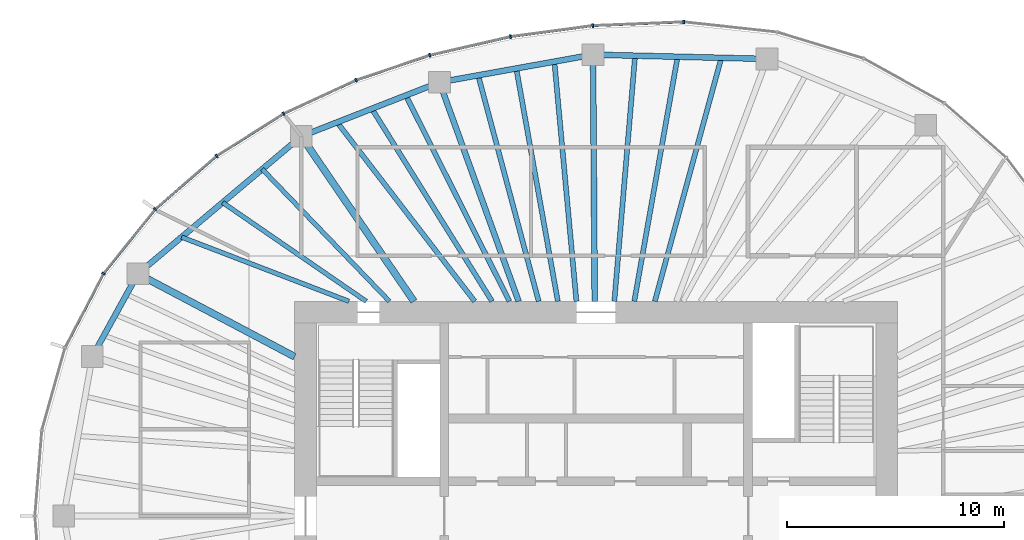
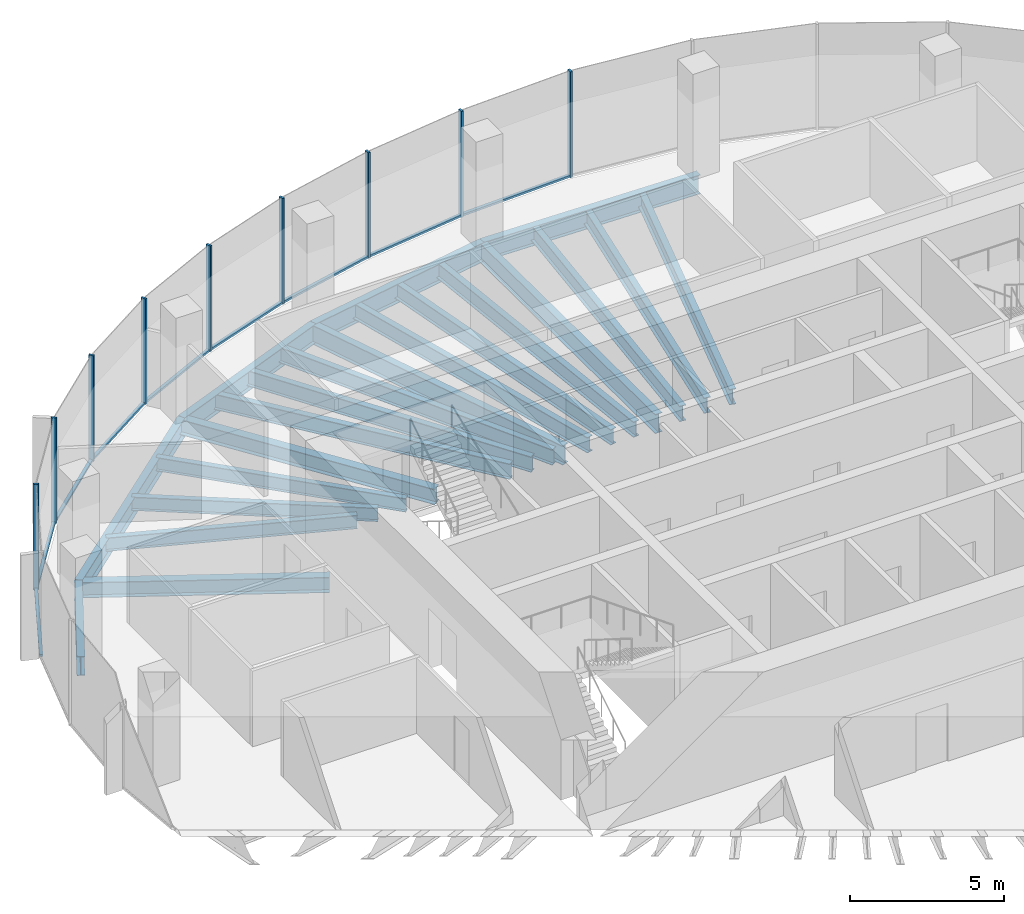
# One storey, part 5 of 12: 21 beams, 18 members, 5 elements without a shape of their own.
"""IFC4 building model written with IfcOpenShell, lengths in metres."""

from ifc_helpers import new_model, si_unit, direction, frame, origin, origin_2d, place, context, subcontext, project, spatial, rectangle, i_section, extrude, material, material_profile, profile_set, type_object, element, aggregate, save


model = new_model("IFC4")

# Units and contexts
model_context = context("Model", 3, precision=1e-05, world=origin(), true_north=direction((0.0, 1.0)))
body_context = subcontext(model_context, "Body", "Model", "MODEL_VIEW")
ifc_project = project(units=[si_unit("LENGTHUNIT", "METRE"), si_unit("AREAUNIT", "SQUARE_METRE"), si_unit("VOLUMEUNIT", "CUBIC_METRE"), si_unit("PLANEANGLEUNIT", "RADIAN"), si_unit("MASSUNIT", "GRAM", prefix="KILO")], contexts=[model_context])

# Site, building, storey
site_placement = place(None, origin())
site = spatial("IfcSite", under=ifc_project, at=site_placement, CompositionType="ELEMENT")
building_placement = place(site_placement, origin())
building = spatial("IfcBuilding", under=site, at=building_placement, Name="Ghaith Harvest Tower", CompositionType="ELEMENT")
storey_placement = place(building_placement, frame((0.0, 0.0, 304.800048828125)))
storey = spatial("IfcBuildingStorey", under=building, at=storey_placement, Name="L68", CompositionType="ELEMENT", Elevation=304.800048828125)

# Curtain wall, member
ifc_material_1 = material(Name="Black anodised aluminium and fritted glass", Category="aluminium")
curtain_wall_type = type_object("IfcCurtainWallType", Name="CW-T CURTAIN WALL", PredefinedType="NOTDEFINED", material=ifc_material_1)
curtain_wall_1_placement = place(storey_placement, origin())
curtain_wall_1 = element("IfcCurtainWall", 1, at=curtain_wall_1_placement, inside=storey, type_object=curtain_wall_type, Name="Curtain wall CW-T bay 05 L68", PredefinedType="NOTDEFINED")
ifc_material_2 = material(Name="Aluminium, black anodised", Category="aluminium")
ifc_material_profile_1 = material_profile(ifc_material_2, rectangle(XDim=0.080078125, YDim=0.179931640625, at=origin_2d()), Name="CW-T MULLION 80x180")
ifc_profile_set_1 = profile_set([ifc_material_profile_1], Name="Aluminium, black anodised")
member_type_1 = type_object("IfcMemberType", Name="CW-T MULLION 80x180", PredefinedType="MULLION", material=ifc_profile_set_1)
member_1_placement = place(storey_placement, frame((4.037841796875, 22.776611328125, 0.0), z_axis=(0.0, 0.0, 1.0), x_axis=(-0.999388631236, 0.034962319079, 0.0)))
member_1 = element("IfcMember", 2, at=member_1_placement, type_object=member_type_1, Name="CW-T mullion 2 bay 05 L68", PredefinedType="MULLION", context=body_context, shape_type="SweptSolid", body=[
    extrude(rectangle(XDim=0.080078125, YDim=0.179931640625, at=origin_2d()), origin(), (0.0, 0.0, 1.0), 4.199951171875),
])

# Curtain wall, members
curtain_wall_2_placement = place(storey_placement, origin())
curtain_wall_2 = element("IfcCurtainWall", 3, at=curtain_wall_2_placement, inside=storey, type_object=curtain_wall_type, Name="Curtain wall CW-T bay 06 L68", PredefinedType="NOTDEFINED")
member_2_placement = place(storey_placement, frame((-0.15478515625, 22.60595703125, 0.0), z_axis=(0.0, 0.0, 1.0), x_axis=(-0.996414855482, -0.084601629853, 0.0)))
member_2 = element("IfcMember", 4, at=member_2_placement, type_object=member_type_1, Name="CW-T mullion 1 bay 06 L68", PredefinedType="MULLION", context=body_context, shape_type="SweptSolid", body=[
    extrude(rectangle(XDim=0.080078125, YDim=0.179931640625, at=origin_2d()), origin(), (0.0, 0.0, 1.0), 4.199951171875),
])
member_3_placement = place(storey_placement, frame((-3.946533203125, 22.0986328125, 0.0), z_axis=(0.0, 0.0, 1.0), x_axis=(-0.983843447681, -0.179030920389, 0.0)))
member_3 = element("IfcMember", 5, at=member_3_placement, type_object=member_type_1, Name="CW-T mullion 2 bay 06 L68", PredefinedType="MULLION", context=body_context, shape_type="SweptSolid", body=[
    extrude(rectangle(XDim=0.080078125, YDim=0.179931640625, at=origin_2d()), origin(), (0.0, 0.0, 1.0), 4.199951171875),
])

curtain_wall_3_placement = place(storey_placement, origin())
curtain_wall_3 = element("IfcCurtainWall", 6, at=curtain_wall_3_placement, inside=storey, type_object=curtain_wall_type, Name="Curtain wall CW-T bay 07 L68", PredefinedType="NOTDEFINED")
member_4_placement = place(storey_placement, frame((-7.6708984375, 21.23828125, 0.0), z_axis=(0.0, 0.0, 1.0), x_axis=(-0.962552491436, -0.27109537294, 0.0)))
member_4 = element("IfcMember", 7, at=member_4_placement, type_object=member_type_1, Name="CW-T mullion 1 bay 07 L68", PredefinedType="MULLION", context=body_context, shape_type="SweptSolid", body=[
    extrude(rectangle(XDim=0.080078125, YDim=0.179931640625, at=origin_2d()), origin(), (0.0, 0.0, 1.0), 4.199951171875),
])
member_5_placement = place(storey_placement, frame((-11.0673828125, 20.093017578125, 0.0), z_axis=(0.0, 0.0, 1.0), x_axis=(-0.928624420706, -0.371021138573, 0.0)))
member_5 = element("IfcMember", 8, at=member_5_placement, type_object=member_type_1, Name="CW-T mullion 2 bay 07 L68", PredefinedType="MULLION", context=body_context, shape_type="SweptSolid", body=[
    extrude(rectangle(XDim=0.080078125, YDim=0.179931640625, at=origin_2d()), origin(), (0.0, 0.0, 1.0), 4.199951171875),
])

curtain_wall_4_placement = place(storey_placement, origin())
curtain_wall_4 = element("IfcCurtainWall", 9, at=curtain_wall_4_placement, inside=storey, type_object=curtain_wall_type, Name="Curtain wall CW-T bay 08 L68", PredefinedType="NOTDEFINED")
member_6_placement = place(storey_placement, frame((-14.40478515625, 18.5478515625, 0.0), z_axis=(0.0, 0.0, 1.0), x_axis=(-0.87867173244, -0.477426420101, 0.0)))
member_6 = element("IfcMember", 10, at=member_6_placement, type_object=member_type_1, Name="CW-T mullion 1 bay 08 L68", PredefinedType="MULLION", context=body_context, shape_type="SweptSolid", body=[
    extrude(rectangle(XDim=0.080078125, YDim=0.179931640625, at=origin_2d()), origin(), (0.0, 0.0, 1.0), 4.199951171875),
])
member_7_placement = place(storey_placement, frame((-17.49462890625, 16.600830078125, 0.0), z_axis=(0.0, 0.0, 1.0), x_axis=(-0.802189888678, -0.597068993084, 0.0)))
member_7 = element("IfcMember", 11, at=member_7_placement, type_object=member_type_1, Name="CW-T mullion 2 bay 08 L68", PredefinedType="MULLION", context=body_context, shape_type="SweptSolid", body=[
    extrude(rectangle(XDim=0.080078125, YDim=0.179931640625, at=origin_2d()), origin(), (0.0, 0.0, 1.0), 4.199951171875),
])

curtain_wall_5_placement = place(storey_placement, origin())
curtain_wall_5 = element("IfcCurtainWall", 12, at=curtain_wall_5_placement, inside=storey, type_object=curtain_wall_type, Name="Curtain wall CW-T bay 09 L68", PredefinedType="NOTDEFINED")
member_8_placement = place(storey_placement, frame((-20.324462890625, 14.141845703125, 0.0), z_axis=(0.0, 0.0, 1.0), x_axis=(-0.692826491995, -0.72110432809, 0.0)))
member_8 = element("IfcMember", 13, at=member_8_placement, type_object=member_type_1, Name="CW-T mullion 1 bay 09 L68", PredefinedType="MULLION", context=body_context, shape_type="SweptSolid", body=[
    extrude(rectangle(XDim=0.080078125, YDim=0.179931640625, at=origin_2d()), origin(), (0.0, 0.0, 1.0), 4.199951171875),
])
member_9_placement = place(storey_placement, frame((-22.706298828125, 11.176513671875, 0.0), z_axis=(0.0, 0.0, 1.0), x_axis=(-0.545865412621, -0.837872872997, 0.0)))
member_9 = element("IfcMember", 14, at=member_9_placement, type_object=member_type_1, Name="CW-T mullion 2 bay 09 L68", PredefinedType="MULLION", context=body_context, shape_type="SweptSolid", body=[
    extrude(rectangle(XDim=0.080078125, YDim=0.179931640625, at=origin_2d()), origin(), (0.0, 0.0, 1.0), 4.199951171875),
])

# Member
ifc_material_3 = material(Name="Aluminium, black anodised", Category="aluminium")
ifc_material_profile_2 = material_profile(ifc_material_3, rectangle(XDim=0.1201171875, YDim=0.080078125, at=origin_2d()), Name="CW-T TRANSOM 120x80")
ifc_profile_set_2 = profile_set([ifc_material_profile_2], Name="Aluminium, black anodised")
member_type_2 = type_object("IfcMemberType", Name="CW-T TRANSOM 120x80", PredefinedType="USERDEFINED", material=ifc_profile_set_2)
member_10_placement = place(storey_placement, frame((3.997802734375, 22.77490234375, 0.0400390625), z_axis=(-0.999174207562, -0.040631304968, 0.0), x_axis=(0.040631304968, -0.999174207562, 0.0)))
member_10 = element("IfcMember", 15, at=member_10_placement, type_object=member_type_2, Name="CW-T transom 2 bay 05 L68", ObjectType="TRANSOM", PredefinedType="USERDEFINED", context=body_context, shape_type="SweptSolid", body=[
    extrude(rectangle(XDim=0.1201171875, YDim=0.080078125, at=origin_2d()), origin(), (0.0, 0.0, 1.0), 4.115966796875),
])

aggregate(curtain_wall_1, [member_1, member_10])

member_11_placement = place(storey_placement, frame((-0.1943359375, 22.6005859375, 0.0400390625), z_axis=(-0.99117202259, -0.132582131655, 0.0), x_axis=(0.132582131655, -0.99117202259, 0.0)))
member_11 = element("IfcMember", 16, at=member_11_placement, type_object=member_type_2, Name="CW-T transom 1 bay 06 L68", ObjectType="TRANSOM", PredefinedType="USERDEFINED", context=body_context, shape_type="SweptSolid", body=[
    extrude(rectangle(XDim=0.1201171875, YDim=0.080078125, at=origin_2d()), origin(), (0.0, 0.0, 1.0), 3.745361328125),
])

member_12_placement = place(storey_placement, frame((-3.9853515625, 22.089599609375, 0.0400390625), z_axis=(-0.974344997799, -0.225059603803, 0.0), x_axis=(0.225059603803, -0.974344997799, 0.0)))
member_12 = element("IfcMember", 17, at=member_12_placement, type_object=member_type_2, Name="CW-T transom 2 bay 06 L68", ObjectType="TRANSOM", PredefinedType="USERDEFINED", context=body_context, shape_type="SweptSolid", body=[
    extrude(rectangle(XDim=0.1201171875, YDim=0.080078125, at=origin_2d()), origin(), (0.0, 0.0, 1.0), 3.742431640625),
])

aggregate(curtain_wall_2, [member_2, member_11, member_3, member_12])

member_13_placement = place(storey_placement, frame((-7.708740234375, 21.2255859375, 0.0400390625), z_axis=(-0.9475698206, -0.319548799228, 0.0), x_axis=(0.319548799228, -0.9475698206, 0.0)))
member_13 = element("IfcMember", 18, at=member_13_placement, type_object=member_type_2, Name="CW-T transom 1 bay 07 L68", ObjectType="TRANSOM", PredefinedType="USERDEFINED", context=body_context, shape_type="SweptSolid", body=[
    extrude(rectangle(XDim=0.1201171875, YDim=0.080078125, at=origin_2d()), origin(), (0.0, 0.0, 1.0), 3.504638671875),
])

member_14_placement = place(storey_placement, frame((-11.103759765625, 20.076171875, 0.0400390625), z_axis=(-0.907472177056, -0.420112184862, 0.0), x_axis=(0.420112184862, -0.907472177056, 0.0)))
member_14 = element("IfcMember", 19, at=member_14_placement, type_object=member_type_2, Name="CW-T transom 2 bay 07 L68", ObjectType="TRANSOM", PredefinedType="USERDEFINED", context=body_context, shape_type="SweptSolid", body=[
    extrude(rectangle(XDim=0.1201171875, YDim=0.080078125, at=origin_2d()), origin(), (0.0, 0.0, 1.0), 3.597900390625),
])

aggregate(curtain_wall_3, [member_4, member_13, member_5, member_14])

member_15_placement = place(storey_placement, frame((-14.438720703125, 18.5263671875, 0.0400390625), z_axis=(-0.846053602505, -0.533097835006, 0.0), x_axis=(0.533097835006, -0.846053602505, 0.0)))
member_15 = element("IfcMember", 20, at=member_15_placement, type_object=member_type_2, Name="CW-T transom 1 bay 08 L68", ObjectType="TRANSOM", PredefinedType="USERDEFINED", context=body_context, shape_type="SweptSolid", body=[
    extrude(rectangle(XDim=0.1201171875, YDim=0.080078125, at=origin_2d()), origin(), (0.0, 0.0, 1.0), 3.572021484375),
])

member_16_placement = place(storey_placement, frame((-17.52490234375, 16.574462890625, 0.0400390625), z_axis=(-0.754851889287, -0.65589528527, 0.0), x_axis=(0.65589528527, -0.754851889287, 0.0)))
member_16 = element("IfcMember", 21, at=member_16_placement, type_object=member_type_2, Name="CW-T transom 2 bay 08 L68", ObjectType="TRANSOM", PredefinedType="USERDEFINED", context=body_context, shape_type="SweptSolid", body=[
    extrude(rectangle(XDim=0.1201171875, YDim=0.080078125, at=origin_2d()), origin(), (0.0, 0.0, 1.0), 3.668701171875),
])

aggregate(curtain_wall_4, [member_6, member_15, member_7, member_16])

member_17_placement = place(storey_placement, frame((-20.349365234375, 14.110595703125, 0.0400390625), z_axis=(-0.626253073761, -0.779619835307, 0.0), x_axis=(0.779619835307, -0.626253073761, 0.0)))
member_17 = element("IfcMember", 22, at=member_17_placement, type_object=member_type_2, Name="CW-T transom 1 bay 09 L68", ObjectType="TRANSOM", PredefinedType="USERDEFINED", context=body_context, shape_type="SweptSolid", body=[
    extrude(rectangle(XDim=0.1201171875, YDim=0.080078125, at=origin_2d()), origin(), (0.0, 0.0, 1.0), 3.723388671875),
])

member_18_placement = place(storey_placement, frame((-22.724609375, 11.14111328125, 0.0400390625), z_axis=(-0.461242681347, -0.887274021317, 0.0), x_axis=(0.887274021317, -0.461242681347, 0.0)))
member_18 = element("IfcMember", 23, at=member_18_placement, type_object=member_type_2, Name="CW-T transom 2 bay 09 L68", ObjectType="TRANSOM", PredefinedType="USERDEFINED", context=body_context, shape_type="SweptSolid", body=[
    extrude(rectangle(XDim=0.1201171875, YDim=0.080078125, at=origin_2d()), origin(), (0.0, 0.0, 1.0), 3.77197265625),
])

aggregate(curtain_wall_5, [member_8, member_17, member_9, member_18])

# Beams
ifc_material_4 = material(Name="Steel ASTM A992 Grade 50", Category="steel")
ifc_material_profile_3 = material_profile(ifc_material_4, i_section(OverallWidth=0.26611328125, OverallDepth=0.758056640625, WebThickness=0.013916015625, FlangeThickness=0.019287109375, at=origin_2d()), Name="W760X161")
ifc_profile_set_3 = profile_set([ifc_material_profile_3], Name="Steel ASTM A992 Grade 50")
beam_type_1 = type_object("IfcBeamType", Name="E760-161 W760X161", PredefinedType="SPANDREL", material=ifc_profile_set_3)
beam_1_placement = place(storey_placement, frame((7.8779296875, 21.072021484375, -0.549072265625), z_axis=(-0.999692679676, 0.024790042413, 0.0), x_axis=(-0.024790042413, -0.999692679676, 0.0)))
element("IfcBeam", 24, at=beam_1_placement, inside=storey, type_object=beam_type_1, Name="Edge beam E05 L68", PredefinedType="SPANDREL", context=body_context, shape_type="SweptSolid", body=[
    extrude(i_section(OverallWidth=0.26611328125, OverallDepth=0.758056640625, WebThickness=0.013916015625, FlangeThickness=0.019287109375, at=origin_2d()), origin(), (0.0, 0.0, 1.0), 8.0263671875),
])
beam_2_placement = place(storey_placement, frame((-0.14599609375, 21.27099609375, -0.549072265625), z_axis=(-0.984177047684, -0.177187863051, 0.0), x_axis=(0.177187863051, -0.984177047684, 0.0)))
element("IfcBeam", 25, at=beam_2_placement, inside=storey, type_object=beam_type_1, Name="Edge beam E06 L68", PredefinedType="SPANDREL", context=body_context, shape_type="SweptSolid", body=[
    extrude(i_section(OverallWidth=0.26611328125, OverallDepth=0.758056640625, WebThickness=0.013916015625, FlangeThickness=0.019287109375, at=origin_2d()), origin(), (0.0, 0.0, 1.0), 7.189697265625),
])
beam_3_placement = place(storey_placement, frame((-7.221923828125, 19.9970703125, -0.549072265625), z_axis=(-0.931322768207, -0.364194867371, 0.0), x_axis=(0.364194867371, -0.931322768207, 0.0)))
element("IfcBeam", 26, at=beam_3_placement, inside=storey, type_object=beam_type_1, Name="Edge beam E07 L68", PredefinedType="SPANDREL", context=body_context, shape_type="SweptSolid", body=[
    extrude(i_section(OverallWidth=0.26611328125, OverallDepth=0.758056640625, WebThickness=0.013916015625, FlangeThickness=0.019287109375, at=origin_2d()), origin(), (0.0, 0.0, 1.0), 6.843017578125),
])
beam_4_placement = place(storey_placement, frame((-13.594970703125, 17.5048828125, -0.549072265625), z_axis=(-0.765021818761, -0.64400436087, 0.0), x_axis=(0.64400436087, -0.765021818761, 0.0)))
element("IfcBeam", 27, at=beam_4_placement, inside=storey, type_object=beam_type_1, Name="Edge beam E08 L68", PredefinedType="SPANDREL", context=body_context, shape_type="SweptSolid", body=[
    extrude(i_section(OverallWidth=0.26611328125, OverallDepth=0.758056640625, WebThickness=0.013916015625, FlangeThickness=0.019287109375, at=origin_2d()), origin(), (0.0, 0.0, 1.0), 9.8427734375),
])
beam_5_placement = place(storey_placement, frame((-21.125, 11.166015625, -0.549072265625), z_axis=(-0.482955575345, -0.875644855089, 0.0), x_axis=(0.875644855089, -0.482955575345, 0.0)))
element("IfcBeam", 28, at=beam_5_placement, inside=storey, type_object=beam_type_1, Name="Edge beam E09 L68", PredefinedType="SPANDREL", context=body_context, shape_type="SweptSolid", body=[
    extrude(i_section(OverallWidth=0.26611328125, OverallDepth=0.758056640625, WebThickness=0.013916015625, FlangeThickness=0.019287109375, at=origin_2d()), origin(), (0.0, 0.0, 1.0), 4.346435546875),
])
ifc_material_5 = material(Name="Steel ASTM A992 Grade 50", Category="steel")
ifc_material_profile_4 = material_profile(ifc_material_5, i_section(OverallWidth=0.323974609375, OverallDepth=0.611083984375, WebThickness=0.0126953125, FlangeThickness=0.01904296875, at=origin_2d()), Name="W610X155")
ifc_profile_set_4 = profile_set([ifc_material_profile_4], Name="Steel ASTM A992 Grade 50")
beam_type_2 = type_object("IfcBeamType", Name="G610-155 W610X155", PredefinedType="BEAM", material=ifc_profile_set_4)
beam_6_placement = place(storey_placement, frame((-8.39990234375, 9.89990234375, -0.4755859375), z_axis=(-0.564067018201, 0.825729010619, 0.0), x_axis=(-0.825729010619, -0.564067018201, 0.0)))
element("IfcBeam", 29, at=beam_6_placement, inside=storey, type_object=beam_type_2, Name="Radial girder G08 L68", PredefinedType="BEAM", context=body_context, shape_type="SweptSolid", body=[
    extrude(i_section(OverallWidth=0.323974609375, OverallDepth=0.611083984375, WebThickness=0.0126953125, FlangeThickness=0.01904296875, at=origin_2d()), origin(), (0.0, 0.0, 1.0), 9.2099609375),
])
beam_7_placement = place(storey_placement, frame((-13.89990234375, 7.34716796875, -0.4755859375), z_axis=(-0.88410164037, 0.467294649546, 0.0), x_axis=(-0.467294649546, -0.88410164037, 0.0)))
element("IfcBeam", 30, at=beam_7_placement, inside=storey, type_object=beam_type_2, Name="Radial girder G09 L68", PredefinedType="BEAM", context=body_context, shape_type="SweptSolid", body=[
    extrude(i_section(OverallWidth=0.323974609375, OverallDepth=0.611083984375, WebThickness=0.0126953125, FlangeThickness=0.01904296875, at=origin_2d()), origin(), (0.0, 0.0, 1.0), 8.17236328125),
])
ifc_material_6 = material(Name="Steel ASTM A992 Grade 50", Category="steel")
ifc_material_profile_5 = material_profile(ifc_material_6, i_section(OverallWidth=0.26611328125, OverallDepth=0.758056640625, WebThickness=0.013916015625, FlangeThickness=0.019287109375, at=origin_2d()), Name="W760X161")
ifc_profile_set_5 = profile_set([ifc_material_profile_5], Name="Steel ASTM A992 Grade 50")
beam_type_3 = type_object("IfcBeamType", Name="G760-161 W760X161", PredefinedType="BEAM", material=ifc_profile_set_5)
beam_8_placement = place(storey_placement, frame((-0.06787109375, 9.89990234375, -0.549072265625), z_axis=(-0.00687032909, 0.999976399011, 0.0), x_axis=(-0.999976399011, -0.00687032909, 0.0)))
element("IfcBeam", 31, at=beam_8_placement, inside=storey, type_object=beam_type_3, Name="Radial girder G06 L68", PredefinedType="BEAM", context=body_context, shape_type="SweptSolid", body=[
    extrude(i_section(OverallWidth=0.26611328125, OverallDepth=0.758056640625, WebThickness=0.013916015625, FlangeThickness=0.019287109375, at=origin_2d()), origin(), (0.0, 0.0, 1.0), 11.371337890625),
])
beam_9_placement = place(storey_placement, frame((-3.57568359375, 9.89990234375, -0.549072265625), z_axis=(-0.339647816823, 0.940552688863, 0.0), x_axis=(-0.940552688863, -0.339647816823, 0.0)))
element("IfcBeam", 32, at=beam_9_placement, inside=storey, type_object=beam_type_3, Name="Radial girder G07 L68", PredefinedType="BEAM", context=body_context, shape_type="SweptSolid", body=[
    extrude(i_section(OverallWidth=0.26611328125, OverallDepth=0.758056640625, WebThickness=0.013916015625, FlangeThickness=0.019287109375, at=origin_2d()), origin(), (0.0, 0.0, 1.0), 10.7353515625),
])
ifc_material_7 = material(Name="Steel ASTM A992 Grade 50", Category="steel")
ifc_material_profile_6 = material_profile(ifc_material_7, i_section(OverallWidth=0.2109375, OverallDepth=0.5390625, WebThickness=0.01171875, FlangeThickness=0.018798828125, at=origin_2d()), Name="W530X109")
ifc_profile_set_6 = profile_set([ifc_material_profile_6], Name="Steel ASTM A992 Grade 50")
beam_type_4 = type_object("IfcBeamType", Name="J530-109 W530X109", PredefinedType="JOIST", material=ifc_profile_set_6)
beam_10_placement = place(storey_placement, frame((-9.530517578125, 9.89990234375, -0.439453125), z_axis=(-0.693536238632, 0.720421741554, 0.0), x_axis=(-0.720421741554, -0.693536238632, 0.0)))
element("IfcBeam", 33, at=beam_10_placement, inside=storey, type_object=beam_type_4, Name="Joist J08.1 L68", PredefinedType="JOIST", context=body_context, shape_type="SweptSolid", body=[
    extrude(i_section(OverallWidth=0.2109375, OverallDepth=0.5390625, WebThickness=0.01171875, FlangeThickness=0.018798828125, at=origin_2d()), origin(), (0.0, 0.0, 1.0), 8.4541015625),
])
beam_11_placement = place(storey_placement, frame((-10.60009765625, 9.89990234375, -0.439453125), z_axis=(-0.823778502511, 0.566911791023, 0.0), x_axis=(-0.566911791023, -0.823778502511, 0.0)))
element("IfcBeam", 34, at=beam_11_placement, inside=storey, type_object=beam_type_4, Name="Joist J08.2 L68", PredefinedType="JOIST", context=body_context, shape_type="SweptSolid", body=[
    extrude(i_section(OverallWidth=0.2109375, OverallDepth=0.5390625, WebThickness=0.01171875, FlangeThickness=0.018798828125, at=origin_2d()), origin(), (0.0, 0.0, 1.0), 8.0341796875),
])
beam_12_placement = place(storey_placement, frame((-11.39990234375, 9.89990234375, -0.439453125), z_axis=(-0.933583045329, 0.358361127181, 0.0), x_axis=(-0.358361127181, -0.933583045329, 0.0)))
element("IfcBeam", 35, at=beam_12_placement, inside=storey, type_object=beam_type_4, Name="Joist J08.3 L68", PredefinedType="JOIST", context=body_context, shape_type="SweptSolid", body=[
    extrude(i_section(OverallWidth=0.2109375, OverallDepth=0.5390625, WebThickness=0.01171875, FlangeThickness=0.018798828125, at=origin_2d()), origin(), (0.0, 0.0, 1.0), 8.260986328125),
])
ifc_material_8 = material(Name="Steel ASTM A992 Grade 50", Category="steel")
ifc_material_profile_7 = material_profile(ifc_material_8, i_section(OverallWidth=0.22998046875, OverallDepth=0.616943359375, WebThickness=0.01318359375, FlangeThickness=0.022216796875, at=origin_2d()), Name="W610X140")
ifc_profile_set_7 = profile_set([ifc_material_profile_7], Name="Steel ASTM A992 Grade 50")
beam_type_5 = type_object("IfcBeamType", Name="J610-140 W610X140", PredefinedType="JOIST", material=ifc_profile_set_7)
beam_13_placement = place(storey_placement, frame((2.70361328125, 9.89990234375, -0.478515625), z_axis=(0.263456499314, 0.964671277156, 0.0), x_axis=(-0.964671277156, 0.263456499314, 0.0)))
element("IfcBeam", 36, at=beam_13_placement, inside=storey, type_object=beam_type_5, Name="Joist J05.1 L68", PredefinedType="JOIST", context=body_context, shape_type="SweptSolid", body=[
    extrude(i_section(OverallWidth=0.22998046875, OverallDepth=0.616943359375, WebThickness=0.01318359375, FlangeThickness=0.022216796875, at=origin_2d()), origin(), (0.0, 0.0, 1.0), 11.635498046875),
])
beam_14_placement = place(storey_placement, frame((1.7548828125, 9.89990234375, -0.478515625), z_axis=(0.174562528022, 0.984646090639, 0.0), x_axis=(-0.984646090639, 0.174562528022, 0.0)))
element("IfcBeam", 37, at=beam_14_placement, inside=storey, type_object=beam_type_5, Name="Joist J05.2 L68", PredefinedType="JOIST", context=body_context, shape_type="SweptSolid", body=[
    extrude(i_section(OverallWidth=0.22998046875, OverallDepth=0.616943359375, WebThickness=0.01318359375, FlangeThickness=0.022216796875, at=origin_2d()), origin(), (0.0, 0.0, 1.0), 11.4501953125),
])
beam_15_placement = place(storey_placement, frame((0.836669921875, 9.89990234375, -0.478515625), z_axis=(0.084199386432, 0.996448926601, 0.0), x_axis=(-0.996448926601, 0.084199386432, 0.0)))
element("IfcBeam", 38, at=beam_15_placement, inside=storey, type_object=beam_type_5, Name="Joist J05.3 L68", PredefinedType="JOIST", context=body_context, shape_type="SweptSolid", body=[
    extrude(i_section(OverallWidth=0.22998046875, OverallDepth=0.616943359375, WebThickness=0.01318359375, FlangeThickness=0.022216796875, at=origin_2d()), origin(), (0.0, 0.0, 1.0), 11.36328125),
])
beam_16_placement = place(storey_placement, frame((-0.9111328125, 9.89990234375, -0.478515625), z_axis=(-0.091654473201, 0.995790870385, 0.0), x_axis=(-0.995790870385, -0.091654473201, 0.0)))
element("IfcBeam", 39, at=beam_16_placement, inside=storey, type_object=beam_type_5, Name="Joist J06.1 L68", PredefinedType="JOIST", context=body_context, shape_type="SweptSolid", body=[
    extrude(i_section(OverallWidth=0.22998046875, OverallDepth=0.616943359375, WebThickness=0.01318359375, FlangeThickness=0.022216796875, at=origin_2d()), origin(), (0.0, 0.0, 1.0), 11.096923828125),
])
beam_17_placement = place(storey_placement, frame((-1.76806640625, 9.89990234375, -0.478515625), z_axis=(-0.175789088574, 0.984427852277, 0.0), x_axis=(-0.984427852277, -0.175789088574, 0.0)))
element("IfcBeam", 40, at=beam_17_placement, inside=storey, type_object=beam_type_5, Name="Joist J06.2 L68", PredefinedType="JOIST", context=body_context, shape_type="SweptSolid", body=[
    extrude(i_section(OverallWidth=0.22998046875, OverallDepth=0.616943359375, WebThickness=0.01318359375, FlangeThickness=0.022216796875, at=origin_2d()), origin(), (0.0, 0.0, 1.0), 10.903564453125),
])
beam_18_placement = place(storey_placement, frame((-2.651123046875, 9.89990234375, -0.478515625), z_axis=(-0.258678376387, 0.96596350738, 0.0), x_axis=(-0.96596350738, -0.258678376387, 0.0)))
element("IfcBeam", 41, at=beam_18_placement, inside=storey, type_object=beam_type_5, Name="Joist J06.3 L68", PredefinedType="JOIST", context=body_context, shape_type="SweptSolid", body=[
    extrude(i_section(OverallWidth=0.22998046875, OverallDepth=0.616943359375, WebThickness=0.01318359375, FlangeThickness=0.022216796875, at=origin_2d()), origin(), (0.0, 0.0, 1.0), 10.784912109375),
])
beam_19_placement = place(storey_placement, frame((-4.0, 9.89990234375, -0.478515625), z_axis=(-0.449556131123, 0.893252083664, 0.0), x_axis=(-0.893252083664, -0.449556131123, 0.0)))
element("IfcBeam", 42, at=beam_19_placement, inside=storey, type_object=beam_type_5, Name="Joist J07.1 L68", PredefinedType="JOIST", context=body_context, shape_type="SweptSolid", body=[
    extrude(i_section(OverallWidth=0.22998046875, OverallDepth=0.616943359375, WebThickness=0.01318359375, FlangeThickness=0.022216796875, at=origin_2d()), origin(), (0.0, 0.0, 1.0), 10.62353515625),
])
beam_20_placement = place(storey_placement, frame((-4.800048828125, 9.89990234375, -0.478515625), z_axis=(-0.529596254905, 0.848249849273, 0.0), x_axis=(-0.848249849273, -0.529596254905, 0.0)))
element("IfcBeam", 43, at=beam_20_placement, inside=storey, type_object=beam_type_5, Name="Joist J07.2 L68", PredefinedType="JOIST", context=body_context, shape_type="SweptSolid", body=[
    extrude(i_section(OverallWidth=0.22998046875, OverallDepth=0.616943359375, WebThickness=0.01318359375, FlangeThickness=0.022216796875, at=origin_2d()), origin(), (0.0, 0.0, 1.0), 10.465087890625),
])
beam_21_placement = place(storey_placement, frame((-5.60009765625, 9.89990234375, -0.478515625), z_axis=(-0.609353577926, 0.792898617144, 0.0), x_axis=(-0.792898617144, -0.609353577926, 0.0)))
element("IfcBeam", 44, at=beam_21_placement, inside=storey, type_object=beam_type_5, Name="Joist J07.3 L68", PredefinedType="JOIST", context=body_context, shape_type="SweptSolid", body=[
    extrude(i_section(OverallWidth=0.22998046875, OverallDepth=0.616943359375, WebThickness=0.01318359375, FlangeThickness=0.022216796875, at=origin_2d()), origin(), (0.0, 0.0, 1.0), 10.406982421875),
])

save(model, "model.ifc")
